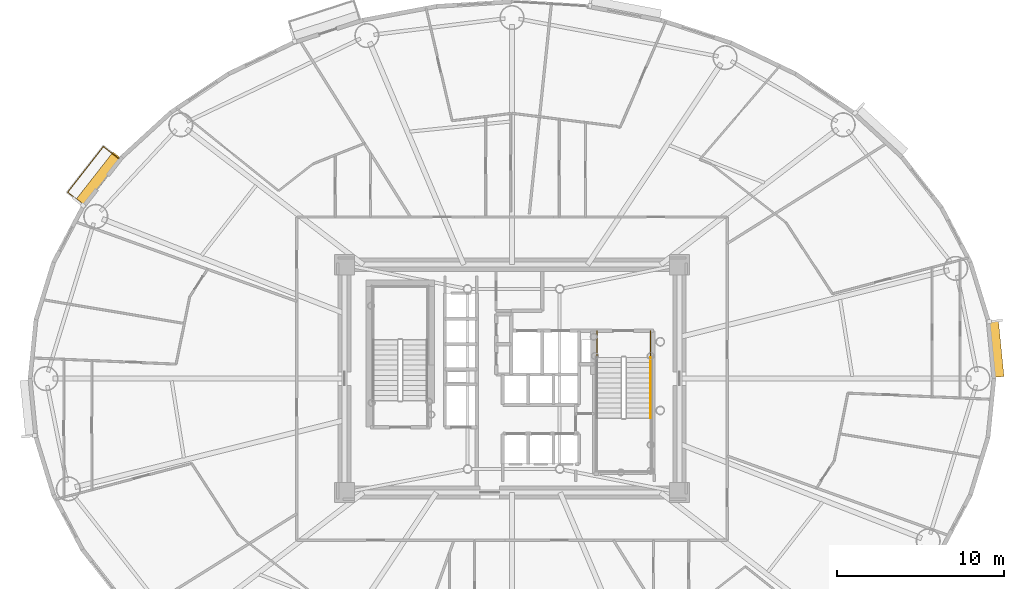
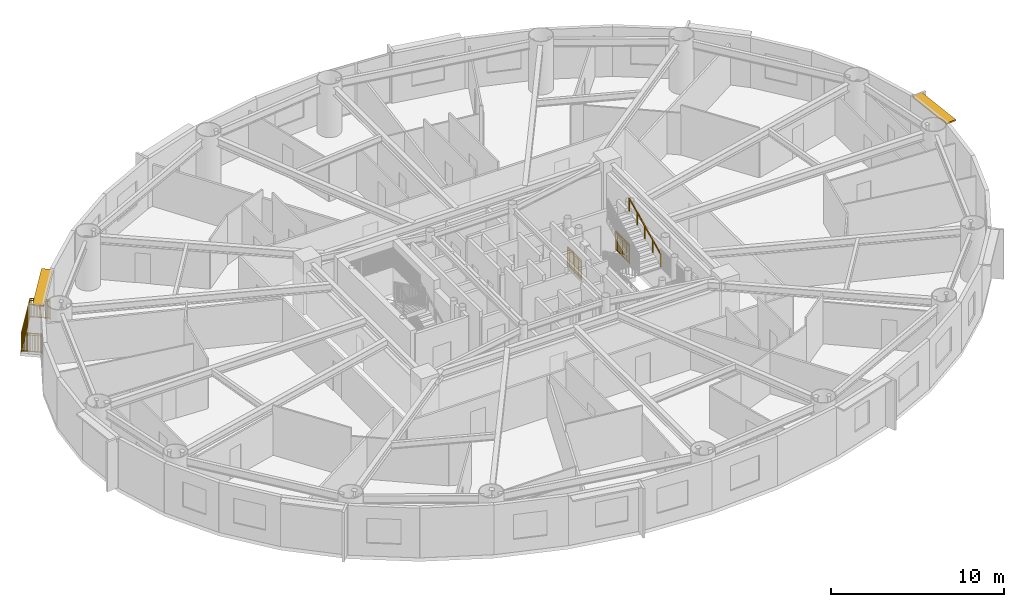
# One storey, part 18 of 19: 4 railings, 2 shading devices.
"""IFC4 building model written with IfcOpenShell, lengths in metres."""

from ifc_helpers import new_model, si_unit, direction, frame, origin, origin_2d, place, context, subcontext, project, spatial, rectangle, extrude, source, transform, mapped, material, layer, layer_set, type_object, element, save


model = new_model("IFC4")

# Units and contexts
model_context = context("Model", 3, precision=1e-05, world=origin(), true_north=direction((0.0, 1.0)))
body_context = subcontext(model_context, "Body", "Model", "MODEL_VIEW")
ifc_project = project(units=[si_unit("LENGTHUNIT", "METRE"), si_unit("AREAUNIT", "SQUARE_METRE"), si_unit("VOLUMEUNIT", "CUBIC_METRE"), si_unit("PLANEANGLEUNIT", "RADIAN"), si_unit("MASSUNIT", "GRAM", prefix="KILO")], contexts=[model_context])

# Site, building, storey
site_placement = place(None, origin())
site = spatial("IfcSite", under=ifc_project, at=site_placement, CompositionType="ELEMENT")
building_placement = place(site_placement, origin())
building = spatial("IfcBuilding", under=site, at=building_placement, Name="Linh Dai School and Residence Tower", CompositionType="ELEMENT")
storey_placement = place(building_placement, frame((0.0, 0.0, 119.699951171875)))
storey = spatial("IfcBuildingStorey", under=building, at=storey_placement, Name="L28", CompositionType="ELEMENT", Elevation=119.699951171875)

# Shading devices
ifc_material_1 = material(Name="Terracotta Ceramic Sunshade", Category="masonry")
ifc_layer = layer(ifc_material_1, 0.10009765625)
ifc_layer_set = layer_set([ifc_layer], Name="Terracotta Ceramic Sunshade")
shading_device_type = type_object("IfcShadingDeviceType", Name="SHD-TC-650", PredefinedType="USERDEFINED", material=ifc_layer_set)
shared_shape_1 = source(origin(), body_context, "Body", "SweptSolid", [
    extrude(rectangle(XDim=3.3916015625, YDim=0.64990234375, at=origin_2d()), origin(), (0.0, 0.0, 1.0), 0.10009765625),
])
shading_device_1_placement = place(storey_placement, frame((64.8818359375, 28.7861328125, 3.3798828125), z_axis=(0.0, 0.0, 1.0), x_axis=(0.100007297192, -0.994986703684, 0.0)))
element("IfcShadingDevice", 1, at=shading_device_1_placement, inside=storey, type_object=shading_device_type, Name="L28 Terracotta Horizontal Sunshade Band 01", ObjectType="SUNSHADE", PredefinedType="USERDEFINED", context=body_context, shape_type="MappedRepresentation", body=[
    mapped(shared_shape_1, transform((0.0, 0.0, 0.0), x_axis=(1.0, 0.0, 0.0), y_axis=(0.0, 1.0, 0.0), z_axis=(0.0, 0.0, 1.0), scale=1.0)),
])
shared_shape_2 = source(origin(), body_context, "Body", "SweptSolid", [
    extrude(rectangle(XDim=3.67041015625, YDim=0.64990234375, at=origin_2d()), origin(), (0.0, 0.0, 1.0), 0.10009765625),
])
shading_device_2_placement = place(storey_placement, frame((11.308349609375, 38.88671875, 3.3798828125), z_axis=(0.0, 0.0, 1.0), x_axis=(0.616305017583, 0.787507539838, 0.0)))
element("IfcShadingDevice", 2, at=shading_device_2_placement, inside=storey, type_object=shading_device_type, Name="L28 Terracotta Horizontal Sunshade Band 17", ObjectType="SUNSHADE", PredefinedType="USERDEFINED", context=body_context, shape_type="MappedRepresentation", body=[
    mapped(shared_shape_2, transform((0.0, 0.0, 0.0), x_axis=(1.0, 0.0, 0.0), y_axis=(0.0, 1.0, 0.0), z_axis=(0.0, 0.0, 1.0), scale=1.0)),
])

# Railings
ifc_material_2 = material(Name="Structural Steel S355JR", Category="steel")
railing_type_1 = type_object("IfcRailingType", Name="RL-BAL-1400", PredefinedType="BALUSTRADE", material=ifc_material_2)
shared_shape_3 = source(origin(), body_context, "Body", "SweptSolid", [
    extrude(rectangle(XDim=0.048095703125, YDim=0.048095703125, at=origin_2d()), frame((0.0, 0.0, 1.3759765625), z_axis=(-0.787465705171, 0.616358469707, 0.0), x_axis=(-0.616358469707, -0.787465705171, 0.0)), (0.0, 0.0, 1.0), 1.179931640625),
    extrude(rectangle(XDim=0.048095703125, YDim=0.048095703125, at=origin_2d()), frame((0.0, 0.0, 0.10009765625), z_axis=(-0.787465705171, 0.616358469707, 0.0), x_axis=(-0.616358469707, -0.787465705171, 0.0)), (0.0, 0.0, 1.0), 1.179931640625),
    extrude(rectangle(XDim=0.030029296875, YDim=0.030029296875, at=origin_2d()), frame((0.0, 0.0, 1.239990234375), z_axis=(-0.787465705171, 0.616358469707, 0.0), x_axis=(-0.616358469707, -0.787465705171, 0.0)), (0.0, 0.0, 1.0), 1.179931640625),
    extrude(rectangle(XDim=0.02001953125, YDim=0.02001953125, at=origin_2d()), frame((-0.071533203125, 0.055908203125, 0.10009765625)), (0.0, 0.0, 1.0), 1.251708984375),
    extrude(rectangle(XDim=0.02001953125, YDim=0.02001953125, at=origin_2d()), frame((-0.14306640625, 0.11181640625, 0.10009765625)), (0.0, 0.0, 1.0), 1.251708984375),
    extrude(rectangle(XDim=0.02001953125, YDim=0.02001953125, at=origin_2d()), frame((-0.21435546875, 0.167724609375, 0.10009765625)), (0.0, 0.0, 1.0), 1.251708984375),
    extrude(rectangle(XDim=0.02001953125, YDim=0.02001953125, at=origin_2d()), frame((-0.285888671875, 0.223876953125, 0.10009765625)), (0.0, 0.0, 1.0), 1.251708984375),
    extrude(rectangle(XDim=0.02001953125, YDim=0.02001953125, at=origin_2d()), frame((-0.357421875, 0.27978515625, 0.10009765625)), (0.0, 0.0, 1.0), 1.251708984375),
    extrude(rectangle(XDim=0.02001953125, YDim=0.02001953125, at=origin_2d()), frame((-0.428955078125, 0.335693359375, 0.10009765625)), (0.0, 0.0, 1.0), 1.251708984375),
    extrude(rectangle(XDim=0.02001953125, YDim=0.02001953125, at=origin_2d()), frame((-0.500244140625, 0.3916015625, 0.10009765625)), (0.0, 0.0, 1.0), 1.251708984375),
    extrude(rectangle(XDim=0.02001953125, YDim=0.02001953125, at=origin_2d()), frame((-0.57177734375, 0.447509765625, 0.10009765625)), (0.0, 0.0, 1.0), 1.251708984375),
    extrude(rectangle(XDim=0.02001953125, YDim=0.02001953125, at=origin_2d()), frame((-0.643310546875, 0.50341796875, 0.10009765625)), (0.0, 0.0, 1.0), 1.251708984375),
    extrude(rectangle(XDim=0.02001953125, YDim=0.02001953125, at=origin_2d()), frame((-0.71484375, 0.5595703125, 0.10009765625)), (0.0, 0.0, 1.0), 1.251708984375),
    extrude(rectangle(XDim=0.02001953125, YDim=0.02001953125, at=origin_2d()), frame((-0.7861328125, 0.615478515625, 0.10009765625)), (0.0, 0.0, 1.0), 1.251708984375),
    extrude(rectangle(XDim=0.02001953125, YDim=0.02001953125, at=origin_2d()), frame((-0.857666015625, 0.67138671875, 0.10009765625)), (0.0, 0.0, 1.0), 1.251708984375),
    extrude(rectangle(XDim=0.048095703125, YDim=0.048095703125, at=origin_2d()), frame((-0.92919921875, 0.727294921875, 1.3759765625), z_axis=(0.616294956873, 0.787515413267, 0.0), x_axis=(-0.787515413267, 0.616294956873, 0.0)), (0.0, 0.0, 1.0), 3.46337890625),
    extrude(rectangle(XDim=0.048095703125, YDim=0.048095703125, at=origin_2d()), frame((-0.92919921875, 0.727294921875, 0.10009765625), z_axis=(0.616294956873, 0.787515413267, 0.0), x_axis=(-0.787515413267, 0.616294956873, 0.0)), (0.0, 0.0, 1.0), 3.46337890625),
    extrude(rectangle(XDim=0.030029296875, YDim=0.030029296875, at=origin_2d()), frame((-0.92919921875, 0.727294921875, 1.239990234375), z_axis=(0.616294956873, 0.787515413267, 0.0), x_axis=(-0.787515413267, 0.616294956873, 0.0)), (0.0, 0.0, 1.0), 3.46337890625),
    extrude(rectangle(XDim=0.02001953125, YDim=0.02001953125, at=origin_2d()), frame((-0.869873046875, 0.802978515625, 0.10009765625)), (0.0, 0.0, 1.0), 1.251708984375),
    extrude(rectangle(XDim=0.02001953125, YDim=0.02001953125, at=origin_2d()), frame((-0.810546875, 0.87890625, 0.10009765625)), (0.0, 0.0, 1.0), 1.251708984375),
    extrude(rectangle(XDim=0.02001953125, YDim=0.02001953125, at=origin_2d()), frame((-0.751220703125, 0.95458984375, 0.10009765625)), (0.0, 0.0, 1.0), 1.251708984375),
    extrude(rectangle(XDim=0.02001953125, YDim=0.02001953125, at=origin_2d()), frame((-0.692138671875, 1.0302734375, 0.10009765625)), (0.0, 0.0, 1.0), 1.251708984375),
    extrude(rectangle(XDim=0.02001953125, YDim=0.02001953125, at=origin_2d()), frame((-0.6328125, 1.106201171875, 0.10009765625)), (0.0, 0.0, 1.0), 1.251708984375),
    extrude(rectangle(XDim=0.02001953125, YDim=0.02001953125, at=origin_2d()), frame((-0.573486328125, 1.181884765625, 0.10009765625)), (0.0, 0.0, 1.0), 1.251708984375),
    extrude(rectangle(XDim=0.02001953125, YDim=0.02001953125, at=origin_2d()), frame((-0.51416015625, 1.257568359375, 0.10009765625)), (0.0, 0.0, 1.0), 1.251708984375),
    extrude(rectangle(XDim=0.02001953125, YDim=0.02001953125, at=origin_2d()), frame((-0.454833984375, 1.33349609375, 0.10009765625)), (0.0, 0.0, 1.0), 1.251708984375),
    extrude(rectangle(XDim=0.02001953125, YDim=0.02001953125, at=origin_2d()), frame((-0.3955078125, 1.4091796875, 0.10009765625)), (0.0, 0.0, 1.0), 1.251708984375),
    extrude(rectangle(XDim=0.02001953125, YDim=0.02001953125, at=origin_2d()), frame((-0.336181640625, 1.48486328125, 0.10009765625)), (0.0, 0.0, 1.0), 1.251708984375),
    extrude(rectangle(XDim=0.02001953125, YDim=0.02001953125, at=origin_2d()), frame((-0.277099609375, 1.560791015625, 0.10009765625)), (0.0, 0.0, 1.0), 1.251708984375),
    extrude(rectangle(XDim=0.02001953125, YDim=0.02001953125, at=origin_2d()), frame((-0.158447265625, 1.712158203125, 0.10009765625)), (0.0, 0.0, 1.0), 1.251708984375),
    extrude(rectangle(XDim=0.02001953125, YDim=0.02001953125, at=origin_2d()), frame((-0.09912109375, 1.7880859375, 0.10009765625)), (0.0, 0.0, 1.0), 1.251708984375),
    extrude(rectangle(XDim=0.02001953125, YDim=0.02001953125, at=origin_2d()), frame((-0.039794921875, 1.86376953125, 0.10009765625)), (0.0, 0.0, 1.0), 1.251708984375),
    extrude(rectangle(XDim=0.02001953125, YDim=0.02001953125, at=origin_2d()), frame((0.01953125, 1.939453125, 0.10009765625)), (0.0, 0.0, 1.0), 1.251708984375),
    extrude(rectangle(XDim=0.02001953125, YDim=0.02001953125, at=origin_2d()), frame((0.078857421875, 2.015380859375, 0.10009765625)), (0.0, 0.0, 1.0), 1.251708984375),
    extrude(rectangle(XDim=0.02001953125, YDim=0.02001953125, at=origin_2d()), frame((0.13818359375, 2.091064453125, 0.10009765625)), (0.0, 0.0, 1.0), 1.251708984375),
    extrude(rectangle(XDim=0.02001953125, YDim=0.02001953125, at=origin_2d()), frame((0.197265625, 2.166748046875, 0.10009765625)), (0.0, 0.0, 1.0), 1.251708984375),
    extrude(rectangle(XDim=0.02001953125, YDim=0.02001953125, at=origin_2d()), frame((0.256591796875, 2.24267578125, 0.10009765625)), (0.0, 0.0, 1.0), 1.251708984375),
    extrude(rectangle(XDim=0.02001953125, YDim=0.02001953125, at=origin_2d()), frame((0.31591796875, 2.318359375, 0.10009765625)), (0.0, 0.0, 1.0), 1.251708984375),
    extrude(rectangle(XDim=0.02001953125, YDim=0.02001953125, at=origin_2d()), frame((0.375244140625, 2.39404296875, 0.10009765625)), (0.0, 0.0, 1.0), 1.251708984375),
    extrude(rectangle(XDim=0.02001953125, YDim=0.02001953125, at=origin_2d()), frame((0.4345703125, 2.469970703125, 0.10009765625)), (0.0, 0.0, 1.0), 1.251708984375),
    extrude(rectangle(XDim=0.02001953125, YDim=0.02001953125, at=origin_2d()), frame((0.55322265625, 2.621337890625, 0.10009765625)), (0.0, 0.0, 1.0), 1.251708984375),
    extrude(rectangle(XDim=0.02001953125, YDim=0.02001953125, at=origin_2d()), frame((0.6123046875, 2.697265625, 0.10009765625)), (0.0, 0.0, 1.0), 1.251708984375),
    extrude(rectangle(XDim=0.02001953125, YDim=0.02001953125, at=origin_2d()), frame((0.671630859375, 2.77294921875, 0.10009765625)), (0.0, 0.0, 1.0), 1.251708984375),
    extrude(rectangle(XDim=0.02001953125, YDim=0.02001953125, at=origin_2d()), frame((0.73095703125, 2.8486328125, 0.10009765625)), (0.0, 0.0, 1.0), 1.251708984375),
    extrude(rectangle(XDim=0.02001953125, YDim=0.02001953125, at=origin_2d()), frame((0.790283203125, 2.924560546875, 0.10009765625)), (0.0, 0.0, 1.0), 1.251708984375),
    extrude(rectangle(XDim=0.02001953125, YDim=0.02001953125, at=origin_2d()), frame((0.849609375, 3.000244140625, 0.10009765625)), (0.0, 0.0, 1.0), 1.251708984375),
    extrude(rectangle(XDim=0.02001953125, YDim=0.02001953125, at=origin_2d()), frame((0.908935546875, 3.075927734375, 0.10009765625)), (0.0, 0.0, 1.0), 1.251708984375),
    extrude(rectangle(XDim=0.02001953125, YDim=0.02001953125, at=origin_2d()), frame((0.96826171875, 3.15185546875, 0.10009765625)), (0.0, 0.0, 1.0), 1.251708984375),
    extrude(rectangle(XDim=0.02001953125, YDim=0.02001953125, at=origin_2d()), frame((1.02734375, 3.2275390625, 0.10009765625)), (0.0, 0.0, 1.0), 1.251708984375),
    extrude(rectangle(XDim=0.02001953125, YDim=0.02001953125, at=origin_2d()), frame((1.086669921875, 3.30322265625, 0.10009765625)), (0.0, 0.0, 1.0), 1.251708984375),
    extrude(rectangle(XDim=0.02001953125, YDim=0.02001953125, at=origin_2d()), frame((1.14599609375, 3.379150390625, 0.10009765625)), (0.0, 0.0, 1.0), 1.251708984375),
    extrude(rectangle(XDim=0.048095703125, YDim=0.048095703125, at=origin_2d()), frame((1.205322265625, 3.454833984375, 1.3759765625), z_axis=(0.787465705171, -0.616358469707, 0.0), x_axis=(0.616358469707, 0.787465705171, 0.0)), (0.0, 0.0, 1.0), 1.179931640625),
    extrude(rectangle(XDim=0.048095703125, YDim=0.048095703125, at=origin_2d()), frame((1.205322265625, 3.454833984375, 0.10009765625), z_axis=(0.787465705171, -0.616358469707, 0.0), x_axis=(0.616358469707, 0.787465705171, 0.0)), (0.0, 0.0, 1.0), 1.179931640625),
    extrude(rectangle(XDim=0.030029296875, YDim=0.030029296875, at=origin_2d()), frame((1.205322265625, 3.454833984375, 1.239990234375), z_axis=(0.787465705171, -0.616358469707, 0.0), x_axis=(0.616358469707, 0.787465705171, 0.0)), (0.0, 0.0, 1.0), 1.179931640625),
    extrude(rectangle(XDim=0.02001953125, YDim=0.02001953125, at=origin_2d()), frame((1.27685546875, 3.39892578125, 0.10009765625)), (0.0, 0.0, 1.0), 1.251708984375),
    extrude(rectangle(XDim=0.02001953125, YDim=0.02001953125, at=origin_2d()), frame((1.348388671875, 3.343017578125, 0.10009765625)), (0.0, 0.0, 1.0), 1.251708984375),
    extrude(rectangle(XDim=0.02001953125, YDim=0.02001953125, at=origin_2d()), frame((1.419677734375, 3.287109375, 0.10009765625)), (0.0, 0.0, 1.0), 1.251708984375),
    extrude(rectangle(XDim=0.02001953125, YDim=0.02001953125, at=origin_2d()), frame((1.4912109375, 3.23095703125, 0.10009765625)), (0.0, 0.0, 1.0), 1.251708984375),
    extrude(rectangle(XDim=0.02001953125, YDim=0.02001953125, at=origin_2d()), frame((1.562744140625, 3.175048828125, 0.10009765625)), (0.0, 0.0, 1.0), 1.251708984375),
    extrude(rectangle(XDim=0.02001953125, YDim=0.02001953125, at=origin_2d()), frame((1.63427734375, 3.119140625, 0.10009765625)), (0.0, 0.0, 1.0), 1.251708984375),
    extrude(rectangle(XDim=0.02001953125, YDim=0.02001953125, at=origin_2d()), frame((1.70556640625, 3.063232421875, 0.10009765625)), (0.0, 0.0, 1.0), 1.251708984375),
    extrude(rectangle(XDim=0.02001953125, YDim=0.02001953125, at=origin_2d()), frame((1.777099609375, 3.00732421875, 0.10009765625)), (0.0, 0.0, 1.0), 1.251708984375),
    extrude(rectangle(XDim=0.02001953125, YDim=0.02001953125, at=origin_2d()), frame((1.8486328125, 2.951416015625, 0.10009765625)), (0.0, 0.0, 1.0), 1.251708984375),
    extrude(rectangle(XDim=0.02001953125, YDim=0.02001953125, at=origin_2d()), frame((1.920166015625, 2.895263671875, 0.10009765625)), (0.0, 0.0, 1.0), 1.251708984375),
    extrude(rectangle(XDim=0.02001953125, YDim=0.02001953125, at=origin_2d()), frame((1.991455078125, 2.83935546875, 0.10009765625)), (0.0, 0.0, 1.0), 1.251708984375),
    extrude(rectangle(XDim=0.02001953125, YDim=0.02001953125, at=origin_2d()), frame((2.06298828125, 2.783447265625, 0.10009765625)), (0.0, 0.0, 1.0), 1.251708984375),
    extrude(rectangle(XDim=0.0419921875, YDim=0.0419921875, at=origin_2d()), origin(), (0.0, 0.0, 1.0), 1.3759765625),
    extrude(rectangle(XDim=0.0419921875, YDim=0.0419921875, at=origin_2d()), frame((-0.92919921875, 0.727294921875, 0.0)), (0.0, 0.0, 1.0), 1.3759765625),
    extrude(rectangle(XDim=0.0419921875, YDim=0.0419921875, at=origin_2d()), frame((-0.2177734375, 1.636474609375, 0.0)), (0.0, 0.0, 1.0), 1.3759765625),
    extrude(rectangle(XDim=0.0419921875, YDim=0.0419921875, at=origin_2d()), frame((0.493896484375, 2.545654296875, 0.0)), (0.0, 0.0, 1.0), 1.3759765625),
    extrude(rectangle(XDim=0.0419921875, YDim=0.0419921875, at=origin_2d()), frame((1.205322265625, 3.454833984375, 0.0)), (0.0, 0.0, 1.0), 1.3759765625),
    extrude(rectangle(XDim=0.0419921875, YDim=0.0419921875, at=origin_2d()), frame((2.134521484375, 2.7275390625, 0.0)), (0.0, 0.0, 1.0), 1.3759765625),
])
railing_1_placement = place(storey_placement, frame((10.398681640625, 37.399658203125, 0.0)))
element("IfcRailing", 3, at=railing_1_placement, inside=storey, type_object=railing_type_1, Name="L28 Balcony Safety Balustrade 17", PredefinedType="BALUSTRADE", context=body_context, shape_type="MappedRepresentation", body=[
    mapped(shared_shape_3, transform((0.0, 0.0, 0.0), x_axis=(1.0, 0.0, 0.0), y_axis=(0.0, 1.0, 0.0), z_axis=(0.0, 0.0, 1.0), scale=1.0)),
])
ifc_material_3 = material(Name="Brushed Stainless Steel Handrail", Category="steel")
railing_type_2 = type_object("IfcRailingType", Name="RL-ST-HANDRAIL-900", PredefinedType="HANDRAIL", material=ifc_material_3)
shared_shape_4 = source(origin(), body_context, "Body", "SweptSolid", [
    extrude(rectangle(XDim=0.048095703125, YDim=0.048095703125, at=origin_2d()), frame((0.0, 0.0, 0.8759765625), z_axis=(0.0, 0.901262522062, 0.433273431364), x_axis=(-1.0, 0.0, 0.0)), (0.0, 0.0, 1.0), 3.994384765625),
    extrude(rectangle(XDim=0.0419921875, YDim=0.0419921875, at=origin_2d()), origin(), (0.0, 0.0, 1.0), 0.8759765625),
    extrude(rectangle(XDim=0.0419921875, YDim=0.0419921875, at=origin_2d()), frame((0.0, 0.89990234375, 0.4326171875)), (0.0, 0.0, 1.0), 0.8759765625),
    extrude(rectangle(XDim=0.0419921875, YDim=0.0419921875, at=origin_2d()), frame((0.0, 1.800048828125, 0.865234375)), (0.0, 0.0, 1.0), 0.8759765625),
    extrude(rectangle(XDim=0.0419921875, YDim=0.0419921875, at=origin_2d()), frame((0.0, 2.7001953125, 1.298095703125)), (0.0, 0.0, 1.0), 0.8759765625),
    extrude(rectangle(XDim=0.0419921875, YDim=0.0419921875, at=origin_2d()), frame((0.0, 3.60009765625, 1.730712890625)), (0.0, 0.0, 1.0), 0.8759765625),
])
railing_2_placement = place(storey_placement, frame((44.27001953125, 24.64990234375, 2.019287109375)))
element("IfcRailing", 4, at=railing_2_placement, inside=storey, type_object=railing_type_2, Name="L28 ST2 stair handrail 2", PredefinedType="HANDRAIL", context=body_context, shape_type="MappedRepresentation", body=[
    mapped(shared_shape_4, transform((0.0, 0.0, 0.0), x_axis=(1.0, 0.0, 0.0), y_axis=(0.0, 1.0, 0.0), z_axis=(0.0, 0.0, 1.0), scale=1.0)),
])
railing_type_3 = type_object("IfcRailingType", Name="RL-ST-GUARD-1400", PredefinedType="GUARDRAIL", material=ifc_material_2)
shared_shape_5 = source(origin(), body_context, "Body", "SweptSolid", [
    extrude(rectangle(XDim=0.048095703125, YDim=0.048095703125, at=origin_2d()), frame((0.0, 0.0, 1.3759765625), z_axis=(0.0, -1.0, 0.0), x_axis=(1.0, 0.0, 0.0)), (0.0, 0.0, 1.0), 1.60009765625),
    extrude(rectangle(XDim=0.048095703125, YDim=0.048095703125, at=origin_2d()), frame((0.0, 0.0, 0.10009765625), z_axis=(0.0, -1.0, 0.0), x_axis=(1.0, 0.0, 0.0)), (0.0, 0.0, 1.0), 1.60009765625),
    extrude(rectangle(XDim=0.030029296875, YDim=0.030029296875, at=origin_2d()), frame((0.0, 0.0, 1.239990234375), z_axis=(0.0, -1.0, 0.0), x_axis=(1.0, 0.0, 0.0)), (0.0, 0.0, 1.0), 1.60009765625),
    extrude(rectangle(XDim=0.02001953125, YDim=0.02001953125, at=origin_2d()), frame((0.0, -0.09423828125, 0.10009765625)), (0.0, 0.0, 1.0), 1.251708984375),
    extrude(rectangle(XDim=0.02001953125, YDim=0.02001953125, at=origin_2d()), frame((0.0, -0.188232421875, 0.10009765625)), (0.0, 0.0, 1.0), 1.251708984375),
    extrude(rectangle(XDim=0.02001953125, YDim=0.02001953125, at=origin_2d()), frame((0.0, -0.282470703125, 0.10009765625)), (0.0, 0.0, 1.0), 1.251708984375),
    extrude(rectangle(XDim=0.02001953125, YDim=0.02001953125, at=origin_2d()), frame((0.0, -0.37646484375, 0.10009765625)), (0.0, 0.0, 1.0), 1.251708984375),
    extrude(rectangle(XDim=0.02001953125, YDim=0.02001953125, at=origin_2d()), frame((0.0, -0.470703125, 0.10009765625)), (0.0, 0.0, 1.0), 1.251708984375),
    extrude(rectangle(XDim=0.02001953125, YDim=0.02001953125, at=origin_2d()), frame((0.0, -0.564697265625, 0.10009765625)), (0.0, 0.0, 1.0), 1.251708984375),
    extrude(rectangle(XDim=0.02001953125, YDim=0.02001953125, at=origin_2d()), frame((0.0, -0.658935546875, 0.10009765625)), (0.0, 0.0, 1.0), 1.251708984375),
    extrude(rectangle(XDim=0.02001953125, YDim=0.02001953125, at=origin_2d()), frame((0.0, -0.7529296875, 0.10009765625)), (0.0, 0.0, 1.0), 1.251708984375),
    extrude(rectangle(XDim=0.02001953125, YDim=0.02001953125, at=origin_2d()), frame((0.0, -0.84716796875, 0.10009765625)), (0.0, 0.0, 1.0), 1.251708984375),
    extrude(rectangle(XDim=0.02001953125, YDim=0.02001953125, at=origin_2d()), frame((0.0, -0.941162109375, 0.10009765625)), (0.0, 0.0, 1.0), 1.251708984375),
    extrude(rectangle(XDim=0.02001953125, YDim=0.02001953125, at=origin_2d()), frame((0.0, -1.035400390625, 0.10009765625)), (0.0, 0.0, 1.0), 1.251708984375),
    extrude(rectangle(XDim=0.02001953125, YDim=0.02001953125, at=origin_2d()), frame((0.0, -1.12939453125, 0.10009765625)), (0.0, 0.0, 1.0), 1.251708984375),
    extrude(rectangle(XDim=0.02001953125, YDim=0.02001953125, at=origin_2d()), frame((0.0, -1.2236328125, 0.10009765625)), (0.0, 0.0, 1.0), 1.251708984375),
    extrude(rectangle(XDim=0.02001953125, YDim=0.02001953125, at=origin_2d()), frame((0.0, -1.317626953125, 0.10009765625)), (0.0, 0.0, 1.0), 1.251708984375),
    extrude(rectangle(XDim=0.02001953125, YDim=0.02001953125, at=origin_2d()), frame((0.0, -1.411865234375, 0.10009765625)), (0.0, 0.0, 1.0), 1.251708984375),
    extrude(rectangle(XDim=0.02001953125, YDim=0.02001953125, at=origin_2d()), frame((0.0, -1.505859375, 0.10009765625)), (0.0, 0.0, 1.0), 1.251708984375),
    extrude(rectangle(XDim=0.0419921875, YDim=0.0419921875, at=origin_2d()), origin(), (0.0, 0.0, 1.0), 1.3759765625),
    extrude(rectangle(XDim=0.0419921875, YDim=0.0419921875, at=origin_2d()), frame((0.0, -0.800048828125, 0.0)), (0.0, 0.0, 1.0), 1.3759765625),
    extrude(rectangle(XDim=0.0419921875, YDim=0.0419921875, at=origin_2d()), frame((0.0, -1.60009765625, 0.0)), (0.0, 0.0, 1.0), 1.3759765625),
])
for number, where, name in (
    (5, (41.070068359375, 29.85009765625, 0.0), "L28 ST2 stair guard 8"),
    (6, (44.27001953125, 29.85009765625, 0.0), "L28 ST2 stair guard 9"),
):
    element("IfcRailing", number, at=place(storey_placement, frame(where)), inside=storey, type_object=railing_type_3, Name=name, PredefinedType="GUARDRAIL", context=body_context, shape_type="MappedRepresentation", body=[
        mapped(shared_shape_5, transform((0.0, 0.0, 0.0), x_axis=(1.0, 0.0, 0.0), y_axis=(0.0, 1.0, 0.0), z_axis=(0.0, 0.0, 1.0), scale=1.0)),
    ])

save(model, "model.ifc")
